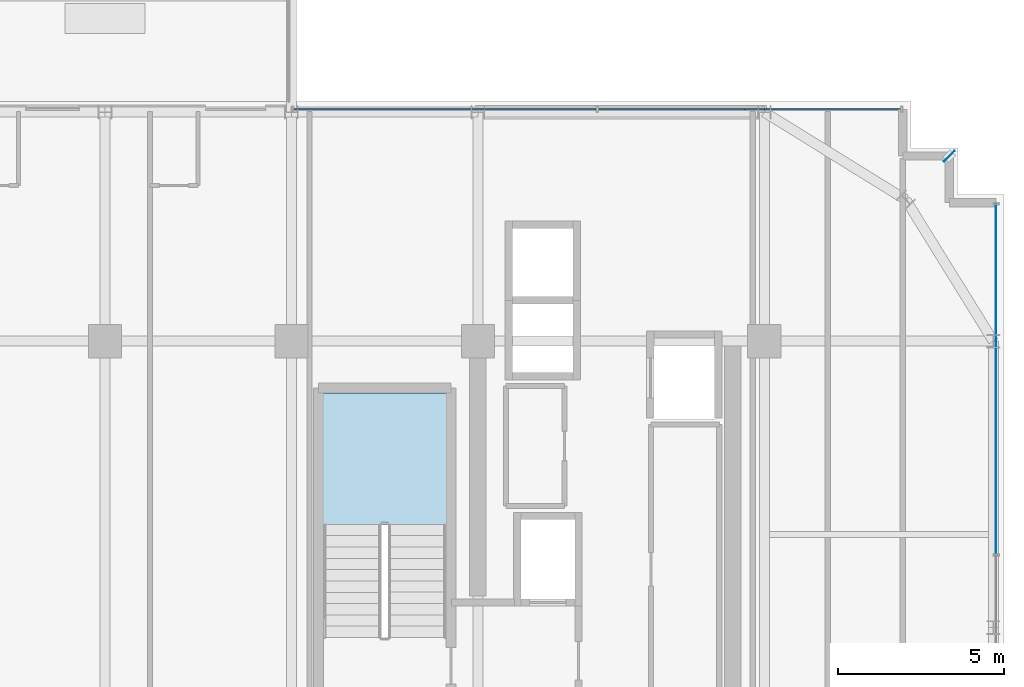
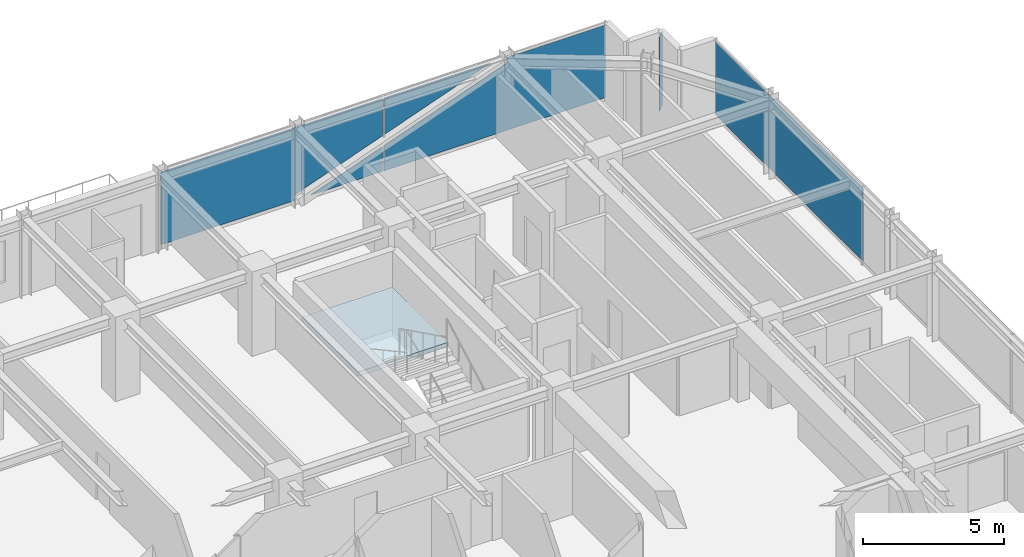
# One storey, part 33 of 41: 4 plates, 1 slab, 3 elements without a shape of their own.
"""IFC4 building model written with IfcOpenShell, lengths in metres."""

from ifc_helpers import new_model, si_unit, direction, frame, origin, origin_2d, place, context, subcontext, project, spatial, polyline, rectangle, outline, extrude, source, transform, mapped, material, layer, layer_set, type_object, element, aggregate, save


model = new_model("IFC4")

# Units and contexts
model_context = context("Model", 3, precision=1e-05, world=origin(), true_north=direction((0.0, 1.0)))
body_context = subcontext(model_context, "Body", "Model", "MODEL_VIEW")
ifc_project = project(units=[si_unit("LENGTHUNIT", "METRE"), si_unit("AREAUNIT", "SQUARE_METRE"), si_unit("VOLUMEUNIT", "CUBIC_METRE"), si_unit("PLANEANGLEUNIT", "RADIAN"), si_unit("MASSUNIT", "GRAM", prefix="KILO")], contexts=[model_context])

# Site, building, storey
site_placement = place(None, origin())
site = spatial("IfcSite", under=ifc_project, at=site_placement, CompositionType="ELEMENT")
building_placement = place(site_placement, origin())
building = spatial("IfcBuilding", under=site, at=building_placement, Name="Nahalor Promenade Grand Hotel", CompositionType="ELEMENT")
storey_placement = place(building_placement, frame((0.0, 0.0, 227.10009765625)))
storey = spatial("IfcBuildingStorey", under=building, at=storey_placement, Name="L58", CompositionType="ELEMENT", Elevation=227.10009765625)

# Curtain wall, plates
ifc_material_1 = material(Name="Anodised Bronze Aluminium EN AW-6063 T6", Category="aluminium")
curtain_wall_type = type_object("IfcCurtainWallType", Name="CW2 Typical Hotel Flush Bronze Unitised Curtain Wall", PredefinedType="USERDEFINED", material=ifc_material_1)
curtain_wall_1_placement = place(storey_placement, origin())
curtain_wall_1 = element("IfcCurtainWall", 1, at=curtain_wall_1_placement, inside=storey, type_object=curtain_wall_type, Name="L58 Curtain Wall CW-L58-N-3", ObjectType="UNITISED_CURTAIN_WALL", PredefinedType="USERDEFINED")
ifc_material_2 = material(Name="Low-E Laminated Solar Glass", Category="glass")
ifc_layer_1 = layer(ifc_material_2, 0.028076171875)
ifc_layer_set_1 = layer_set([ifc_layer_1], Name="Low-E Laminated Solar Glass")
plate_type_1 = type_object("IfcPlateType", Name="CWP2 Bronze Low-E Vision IGU 28mm", PredefinedType="CURTAIN_PANEL", material=ifc_layer_set_1)
plate_1_placement = place(storey_placement, frame((7.40625, 23.9599609375, 0.1298828125), z_axis=(0.0, 0.0, 1.0), x_axis=(1.0, 0.0, 0.0)))
plate_1 = element("IfcPlate", 2, at=plate_1_placement, type_object=plate_type_1, Name="CW-L58-N-3 Glazing Panel 0-0", PredefinedType="CURTAIN_PANEL", context=body_context, shape_type="SweptSolid", body=[
    extrude(outline(polyline([(-4.541259765625, 3.14990234375), (-4.541259765625, 0.0), (0.974365234375, 0.0), (0.893798828125, 0.22314453125), (4.541259765625, 1.542236328125), (4.541259765625, 3.14990234375), (-4.541259765625, 3.14990234375)])), frame((0.0, 0.01416015625, 0.0), z_axis=(0.0, -1.0, 0.0), x_axis=(1.0, 0.0, 0.0)), (0.0, 0.0, 1.0), 0.028076171875),
    extrude(outline(polyline([(1.60009765625, 0.0), (4.541259765625, 0.0), (4.541259765625, 1.063720703125), (1.60009765625, 0.0)])), frame((0.0, 0.01416015625, 0.0), z_axis=(0.0, -1.0, 0.0), x_axis=(1.0, 0.0, 0.0)), (0.0, 0.0, 1.0), 0.028076171875),
])
plate_2_placement = place(storey_placement, frame((16.5537109375, 23.9599609375, 0.1298828125), z_axis=(0.0, 0.0, 1.0), x_axis=(1.0, 0.0, 0.0)))
plate_2 = element("IfcPlate", 3, at=plate_2_placement, type_object=plate_type_1, Name="CW-L58-N-3 Glazing Panel 1-0", PredefinedType="CURTAIN_PANEL", context=body_context, shape_type="SweptSolid", body=[
    extrude(outline(polyline([(4.541259765625, 0.0), (4.541259765625, 3.14990234375), (0.465576171875, 3.14990234375), (0.54638671875, 2.927001953125), (-4.541259765625, 1.087158203125), (-4.541259765625, 0.0), (4.541259765625, 0.0)])), frame((0.0, 0.01416015625, 0.0), z_axis=(0.0, -1.0, 0.0), x_axis=(1.0, 0.0, 0.0)), (0.0, 0.0, 1.0), 0.028076171875),
    extrude(outline(polyline([(-0.16015625, 3.14990234375), (-4.541259765625, 3.14990234375), (-4.541259765625, 1.565673828125), (-0.16015625, 3.14990234375)])), frame((0.0, 0.01416015625, 0.0), z_axis=(0.0, -1.0, 0.0), x_axis=(1.0, 0.0, 0.0)), (0.0, 0.0, 1.0), 0.028076171875),
])
aggregate(curtain_wall_1, [plate_1, plate_2])

# Stair, slab
ifc_material_3 = material(Name="Concrete B-50 (C40/50)", Category="concrete")
stair_type = type_object("IfcStairType", Name="Stair-ST1", PredefinedType="HALF_TURN_STAIR", material=ifc_material_3)
stair_placement = place(storey_placement, origin())
stair = element("IfcStair", 4, at=stair_placement, inside=storey, type_object=stair_type, Name="L58 ST1", PredefinedType="HALF_TURN_STAIR")
ifc_layer_2 = layer(ifc_material_3, 0.199951171875)
ifc_layer_set_2 = layer_set([ifc_layer_2], Name="Concrete B-50 (C40/50)")
slab_type = type_object("IfcSlabType", Name="Landing-ST1", PredefinedType="LANDING", material=ifc_layer_set_2)
slab_placement = place(storey_placement, frame((0.0, 0.0, 1.64990234375)))
slab = element("IfcSlab", 5, at=slab_placement, type_object=slab_type, Name="ST1 landing 1", PredefinedType="LANDING", context=body_context, shape_type="SweptSolid", body=[
    extrude(outline(polyline([(7.449951171875, 11.5), (7.449951171875, 15.449951171875), (3.75, 15.449951171875), (3.75, 11.5), (7.449951171875, 11.5)])), origin(), (0.0, 0.0, 1.0), 0.199951171875),
])
aggregate(stair, [slab])

# Plate
ifc_layer_3 = layer(ifc_material_1, 0.02001953125)
ifc_layer_set_3 = layer_set([ifc_layer_3], Name="Anodised Bronze Aluminium EN AW-6063 T6")
plate_type_2 = type_object("IfcPlateType", Name="Plate-CornerFin-20", PredefinedType="SHEET", material=ifc_layer_set_3)
shared_shape_1 = source(origin(), body_context, "Body", "SweptSolid", [
    extrude(rectangle(XDim=0.449951171875, YDim=0.02001953125, at=origin_2d()), origin(), (0.0, 0.0, 1.0), 3.199951171875),
])
plate_3_placement = place(storey_placement, frame((22.56005859375, 22.56005859375, 0.0), z_axis=(0.0, 0.0, 1.0), x_axis=(0.707106781187, 0.707106781187, 0.0)))
element("IfcPlate", 6, at=plate_3_placement, inside=storey, type_object=plate_type_2, Name="FIN-L58-NE", PredefinedType="SHEET", context=body_context, shape_type="MappedRepresentation", body=[
    mapped(shared_shape_1, transform((0.0, 0.0, 0.0), scale=1.0)),
])

# Curtain wall, plate
curtain_wall_2_placement = place(storey_placement, origin())
curtain_wall_2 = element("IfcCurtainWall", 7, at=curtain_wall_2_placement, inside=storey, type_object=curtain_wall_type, Name="L58 Curtain Wall CW-L58-E-1", ObjectType="UNITISED_CURTAIN_WALL", PredefinedType="USERDEFINED")
shared_shape_2 = source(origin(), body_context, "Body", "SweptSolid", [
    extrude(rectangle(XDim=10.482421875, YDim=0.028076171875, at=origin_2d()), origin(), (0.0, 0.0, 1.0), 3.14990234375),
])
plate_4_placement = place(storey_placement, frame((23.9599609375, 15.853759765625, 0.1298828125), z_axis=(0.0, 0.0, 1.0), x_axis=(0.0, 1.0, 0.0)))
plate_4 = element("IfcPlate", 8, at=plate_4_placement, type_object=plate_type_1, Name="CW-L58-E-1 Glazing Panel 3-0", PredefinedType="CURTAIN_PANEL", context=body_context, shape_type="MappedRepresentation", body=[
    mapped(shared_shape_2, transform((0.0, 0.0, 0.0), scale=1.0)),
])
aggregate(curtain_wall_2, [plate_4])

save(model, "model.ifc")
